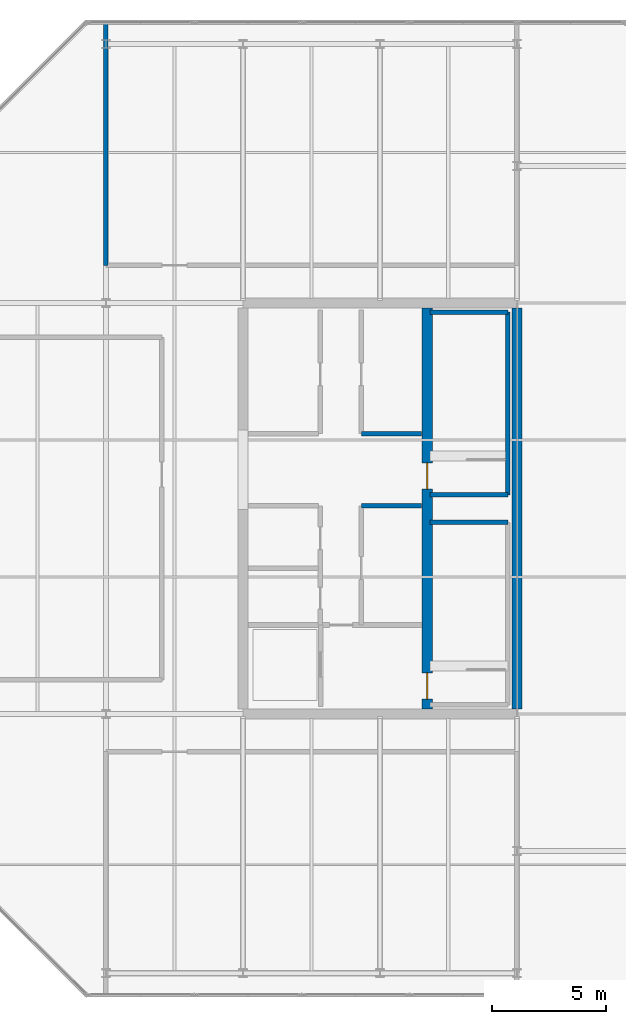
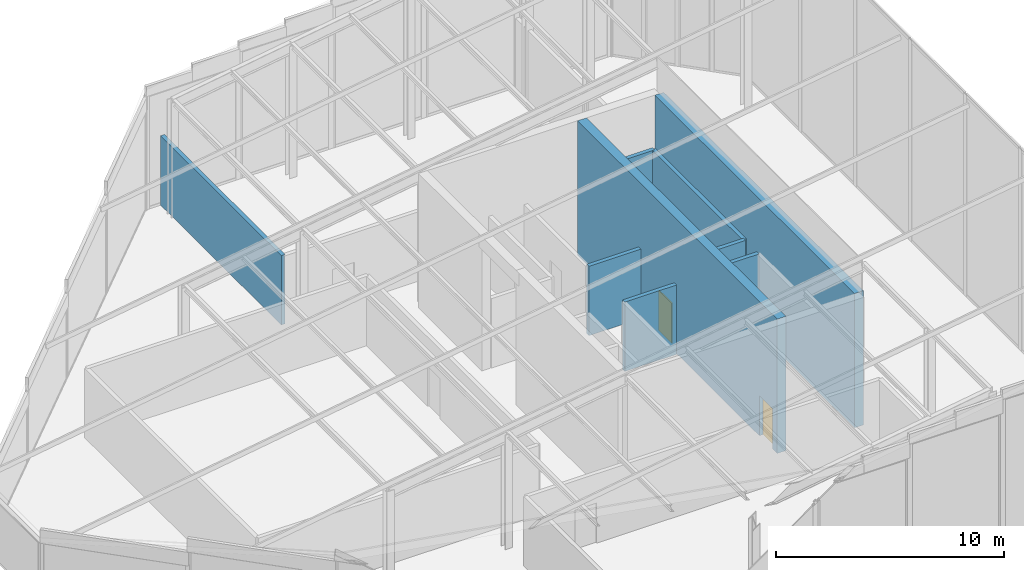
# One storey, part 27 of 30: 9 walls, 2 doors, 2 openings.
"""IFC4 building model written with IfcOpenShell, lengths in metres."""

from ifc_helpers import new_model, si_unit, direction, frame, frame_2d, origin, place, context, subcontext, project, spatial, rectangle, extrude, material, layer, layer_set, type_object, element, fill, save


model = new_model("IFC4")

# Units and contexts
model_context = context("Model", 3, precision=1e-05, world=origin(), true_north=direction((0.0, 1.0)))
body_context = subcontext(model_context, "Body", "Model", "MODEL_VIEW")
ifc_project = project(units=[si_unit("LENGTHUNIT", "METRE"), si_unit("AREAUNIT", "SQUARE_METRE"), si_unit("VOLUMEUNIT", "CUBIC_METRE"), si_unit("PLANEANGLEUNIT", "RADIAN"), si_unit("MASSUNIT", "GRAM", prefix="KILO")], contexts=[model_context])

# Site, building, storey
site_placement = place(None, origin())
site = spatial("IfcSite", under=ifc_project, at=site_placement, CompositionType="ELEMENT")
building_placement = place(site_placement, origin())
building = spatial("IfcBuilding", under=site, at=building_placement, Name="Tanjung Sevakor Pilgrim Tower", CompositionType="ELEMENT")
storey_placement = place(building_placement, frame((0.0, 0.0, 287.760009765625)))
storey = spatial("IfcBuildingStorey", under=building, at=storey_placement, Name="L80", CompositionType="ELEMENT", Elevation=287.760009765625)

# Wall
ifc_material_1 = material(Name="Concrete C60/75", Category="concrete")
ifc_layer_1 = layer(ifc_material_1, 0.449951171875)
ifc_layer_set_1 = layer_set([ifc_layer_1], Name="WALL-CW-450")
wall_type_1 = type_object("IfcWallType", Name="WALL-CW-450", PredefinedType="SHEAR", material=ifc_layer_set_1)
wall_1_placement = place(storey_placement, frame((90.0, 24.824951171875, 0.0), z_axis=(0.0, 0.0, 1.0), x_axis=(0.0, 1.0, 0.0)))
element("IfcWall", 1, at=wall_1_placement, inside=storey, type_object=wall_type_1, Name="L80 E Core Outer Shear Wall", PredefinedType="SHEAR", context=body_context, shape_type="SweptSolid", body=[
    extrude(rectangle(XDim=17.550048828125, YDim=0.449951171875, at=frame_2d((8.77490234375, 0.0))), origin(), (0.0, 0.0, 1.0), 7.209228515625),
])

# Wall, openings, doors
wall_2_placement = place(storey_placement, frame((86.074951171875, 24.824951171875, 0.0), z_axis=(0.0, 0.0, 1.0), x_axis=(0.0, 1.0, 0.0)))
wall_2 = element("IfcWall", 2, at=wall_2_placement, inside=storey, type_object=wall_type_1, Name="L80 E Core Stair Spine Wall", PredefinedType="SHEAR", context=body_context, shape_type="SweptSolid", body=[
    extrude(rectangle(XDim=17.550048828125, YDim=0.449951171875, at=frame_2d((8.77490234375, 0.0))), origin(), (0.0, 0.0, 1.0), 7.209228515625),
])
opening_1_placement = place(wall_2_placement, frame((0.425048828125, 0.0, 0.0)))
opening_1 = element("IfcOpeningElement", 3, at=opening_1_placement, cuts=wall_2, Name="Opening ID-ST1", PredefinedType="OPENING", context=body_context, shape_type="SweptSolid", body=[
    extrude(rectangle(XDim=1.14990234375, YDim=2.14990234375, at=frame_2d((0.574951171875, 1.074951171875))), frame((0.0, 0.23486328125, 0.0), z_axis=(0.0, -1.0, 0.0), x_axis=(1.0, 0.0, 0.0)), (0.0, 0.0, 1.0), 0.469970703125),
])
opening_2_placement = place(wall_2_placement, frame((9.625, 0.0, 0.0)))
opening_2 = element("IfcOpeningElement", 4, at=opening_2_placement, cuts=wall_2, Name="Opening ID-ST1", PredefinedType="OPENING", context=body_context, shape_type="SweptSolid", body=[
    extrude(rectangle(XDim=1.14990234375, YDim=2.14990234375, at=frame_2d((0.574951171875, 1.074951171875))), frame((0.0, 0.23486328125, 0.0), z_axis=(0.0, -1.0, 0.0), x_axis=(1.0, 0.0, 0.0)), (0.0, 0.0, 1.0), 0.469970703125),
])
ifc_material_2 = material(Name="Fire-Rated Steel S355J2", Category="steel")
door_type = type_object("IfcDoorType", Name="DT-FIRE-1150", OperationType="NOTDEFINED", PredefinedType="DOOR", material=ifc_material_2)
door_1_placement = place(opening_1_placement, origin())
door_1 = element("IfcDoor", 5, at=door_1_placement, inside=storey, type_object=door_type, Name="L80 TS-E1 Stair Fire Door", OperationType="SINGLE_SWING_LEFT", OverallHeight=2.14990234375, OverallWidth=1.14990234375, PredefinedType="DOOR", context=body_context, shape_type="SweptSolid", body=[
    extrude(rectangle(XDim=1.14990234375, YDim=2.14990234375, at=frame_2d((0.574951171875, 1.074951171875))), frame((0.0, 0.02490234375, 0.0), z_axis=(0.0, -1.0, 0.0), x_axis=(1.0, 0.0, 0.0)), (0.0, 0.0, 1.0), 0.050048828125),
])
fill(opening_1, door_1)
door_2_placement = place(opening_2_placement, origin())
door_2 = element("IfcDoor", 6, at=door_2_placement, inside=storey, type_object=door_type, Name="L80 TS-E2 Stair Fire Door", OperationType="SINGLE_SWING_RIGHT", OverallHeight=2.14990234375, OverallWidth=1.14990234375, PredefinedType="DOOR", context=body_context, shape_type="SweptSolid", body=[
    extrude(rectangle(XDim=1.14990234375, YDim=2.14990234375, at=frame_2d((0.574951171875, 1.074951171875))), frame((0.0, 0.02490234375, 0.0), z_axis=(0.0, -1.0, 0.0), x_axis=(1.0, 0.0, 0.0)), (0.0, 0.0, 1.0), 0.050048828125),
])
fill(opening_2, door_2)

# Walls
ifc_material_3 = material(Name="Concrete C40/50", Category="concrete")
ifc_layer_2 = layer(ifc_material_3, 0.199951171875)
ifc_layer_set_2 = layer_set([ifc_layer_2], Name="WT-FIRE-200")
wall_type_2 = type_object("IfcWallType", Name="WT-FIRE-200", PredefinedType="SOLIDWALL", material=ifc_layer_set_2)
for number, where, z_axis, x_axis, name in (
    (7, (89.60009765625, 33.0, 0.0), (0.0, 0.0, 1.0), (-1.0, 0.0, 0.0), "L80 TS-E1 Shaft Wall 3"),
    (8, (86.199951171875, 34.199951171875, 0.0), (0.0, 0.0, 1.0), (1.0, 0.0, 0.0), "L80 TS-E2 Shaft Wall 1"),
):
    element("IfcWall", number, at=place(storey_placement, frame(where, z_axis=z_axis, x_axis=x_axis)), inside=storey, type_object=wall_type_2, Name=name, PredefinedType="SOLIDWALL", context=body_context, shape_type="SweptSolid", body=[
        extrude(rectangle(XDim=3.400146484375, YDim=0.199951171875, at=frame_2d((1.7001953125, 0.0))), origin(), (0.0, 0.0, 1.0), 4.5),
    ])
wall_3_placement = place(storey_placement, frame((89.60009765625, 34.199951171875, 0.0), z_axis=(0.0, 0.0, 1.0), x_axis=(0.0, 1.0, 0.0)))
element("IfcWall", 9, at=wall_3_placement, inside=storey, type_object=wall_type_2, Name="L80 TS-E2 Shaft Wall 2", PredefinedType="SOLIDWALL", context=body_context, shape_type="SweptSolid", body=[
    extrude(rectangle(XDim=8.0, YDim=0.199951171875, at=frame_2d((4.0, 0.0))), origin(), (0.0, 0.0, 1.0), 4.5),
])
wall_4_placement = place(storey_placement, frame((89.60009765625, 42.199951171875, 0.0), z_axis=(0.0, 0.0, 1.0), x_axis=(-1.0, 0.0, 0.0)))
element("IfcWall", 10, at=wall_4_placement, inside=storey, type_object=wall_type_2, Name="L80 TS-E2 Shaft Wall 3", PredefinedType="SOLIDWALL", context=body_context, shape_type="SweptSolid", body=[
    extrude(rectangle(XDim=3.400146484375, YDim=0.199951171875, at=frame_2d((1.7001953125, 0.0))), origin(), (0.0, 0.0, 1.0), 4.5),
])
ifc_material_4 = material(Name="Concrete C40/50", Category="concrete")
ifc_layer_3 = layer(ifc_material_4, 0.199951171875)
ifc_layer_set_3 = layer_set([ifc_layer_3], Name="WT-FPRT-200")
wall_type_3 = type_object("IfcWallType", Name="WT-FPRT-200", PredefinedType="SOLIDWALL", material=ifc_layer_set_3)
for number, where, z_axis, x_axis, name in (
    (11, (83.199951171875, 33.719970703125, 0.0), (0.0, 0.0, 1.0), (1.0, 0.0, 0.0), "L80 Partition IW-L80-003"),
    (12, (83.199951171875, 36.8798828125, 0.0), (0.0, 0.0, 1.0), (1.0, 0.0, 0.0), "L80 Partition IW-L80-008"),
):
    element("IfcWall", number, at=place(storey_placement, frame(where, z_axis=z_axis, x_axis=x_axis)), inside=storey, type_object=wall_type_3, Name=name, PredefinedType="SOLIDWALL", context=body_context, shape_type="SweptSolid", body=[
        extrude(rectangle(XDim=2.630126953125, YDim=0.199951171875, at=frame_2d((1.31494140625, 0.0))), origin(), (0.0, 0.0, 1.0), 3.719970703125),
    ])
wall_5_placement = place(storey_placement, frame((72.0, 44.25, 0.0), z_axis=(0.0, 0.0, 1.0), x_axis=(0.0, 1.0, 0.0)))
element("IfcWall", 13, at=wall_5_placement, inside=storey, type_object=wall_type_3, Name="L80 Partition IW-L80-020", PredefinedType="SOLIDWALL", context=body_context, shape_type="SweptSolid", body=[
    extrude(rectangle(XDim=10.610107421875, YDim=0.199951171875, at=frame_2d((5.30517578125, 0.0))), origin(), (0.0, 0.0, 1.0), 3.719970703125),
])

save(model, "model.ifc")
